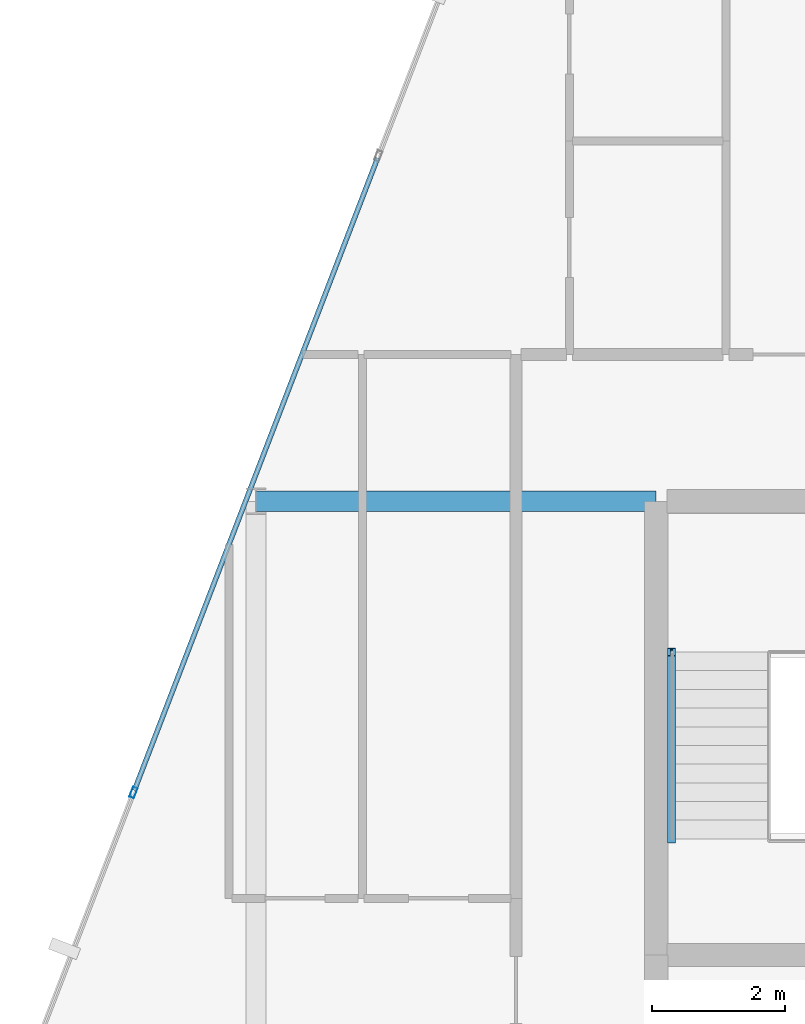
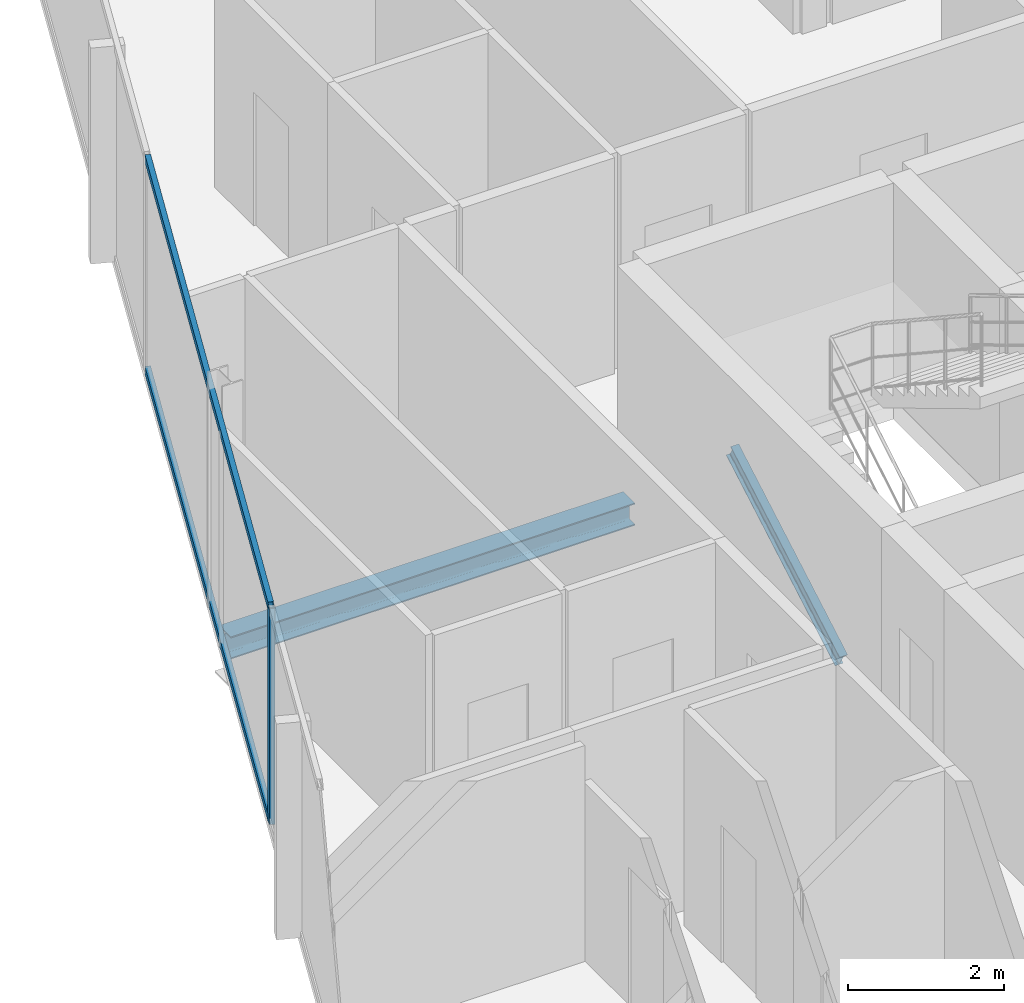
# One storey, part 10 of 28: 4 members, 1 beam, 1 element without a shape of its own.
"""IFC4 building model written with IfcOpenShell, lengths in metres."""

from ifc_helpers import new_model, si_unit, direction, frame, origin, origin_2d, place, context, subcontext, project, spatial, hollow_rectangle, i_section, extrude, material, layer, layer_set, material_profile, profile_set, type_object, element, aggregate, save


model = new_model("IFC4")

# Units and contexts
model_context = context("Model", 3, precision=1e-05, world=origin(), true_north=direction((0.0, 1.0)))
body_context = subcontext(model_context, "Body", "Model", "MODEL_VIEW")
ifc_project = project(units=[si_unit("LENGTHUNIT", "METRE"), si_unit("AREAUNIT", "SQUARE_METRE"), si_unit("VOLUMEUNIT", "CUBIC_METRE"), si_unit("PLANEANGLEUNIT", "RADIAN"), si_unit("MASSUNIT", "GRAM", prefix="KILO")], contexts=[model_context])

# Site, building, storey
site_placement = place(None, origin())
site = spatial("IfcSite", under=ifc_project, at=site_placement, CompositionType="ELEMENT")
building_placement = place(site_placement, origin())
building = spatial("IfcBuilding", under=site, at=building_placement, Name="Keshet Zoharim Tower", CompositionType="ELEMENT")
storey_placement = place(building_placement, frame((0.0, 0.0, 303.60009765625)))
storey = spatial("IfcBuildingStorey", under=building, at=storey_placement, Name="L76", CompositionType="ELEMENT", Elevation=303.60009765625)

# Beam
ifc_material_1 = material(Name="Steel S355", Category="steel")
ifc_material_profile_1 = material_profile(ifc_material_1, i_section(OverallWidth=0.300048828125, OverallDepth=0.35009765625, WebThickness=0.010009765625, FlangeThickness=0.017578125, FilletRadius=0.027099609375, at=origin_2d()), Name="HEA360")
ifc_profile_set_1 = profile_set([ifc_material_profile_1], Name="Steel S355")
beam_type = type_object("IfcBeamType", Name="BM-PRI-HA360", PredefinedType="BEAM", material=ifc_profile_set_1)
beam_placement = place(storey_placement, frame((9.0, 37.89990234375, -0.485107421875), z_axis=(1.0, 0.0, 0.0), x_axis=(0.0, 1.0, 0.0)))
element("IfcBeam", 1, at=beam_placement, inside=storey, type_object=beam_type, Name="L76 Primary Girder X-008", PredefinedType="BEAM", context=body_context, shape_type="SweptSolid", body=[
    extrude(i_section(OverallWidth=0.300048828125, OverallDepth=0.35009765625, WebThickness=0.010009765625, FlangeThickness=0.017578125, FilletRadius=0.027099609375, at=origin_2d()), origin(), (0.0, 0.0, 1.0), 6.0),
])

# Curtain wall, members
ifc_material_2 = material(Name="Aluminium 6063-T6", Category="aluminium")
ifc_layer = layer(ifc_material_2, 0.260009765625)
ifc_layer_set = layer_set([ifc_layer], Name="Aluminium 6063-T6")
curtain_wall_type = type_object("IfcCurtainWallType", Name="CW-SYS-06", PredefinedType="NOTDEFINED", material=ifc_layer_set)
curtain_wall_placement = place(storey_placement, origin())
curtain_wall = element("IfcCurtainWall", 2, at=curtain_wall_placement, inside=storey, type_object=curtain_wall_type, Name="L76 Unitised Curtain Wall 03", PredefinedType="NOTDEFINED")
ifc_material_profile_2 = material_profile(ifc_material_2, hollow_rectangle(XDim=0.074951171875, YDim=0.159912109375, WallThickness=0.00390625, at=origin_2d()), Name="MUL-75x160")
ifc_profile_set_2 = profile_set([ifc_material_profile_2], Name="Aluminium 6063-T6")
member_type_1 = type_object("IfcMemberType", Name="CWM-M15", PredefinedType="MULLION", material=ifc_profile_set_2)
member_1_placement = place(storey_placement, frame((7.1669921875, 33.53466796875, 0.0), z_axis=(0.0, 0.0, 1.0), x_axis=(-0.933341404361, 0.358990003907, 0.0)))
member_1 = element("IfcMember", 3, at=member_1_placement, type_object=member_type_1, Name="CW-06 mullion 2", PredefinedType="MULLION", context=body_context, shape_type="SweptSolid", body=[
    extrude(hollow_rectangle(XDim=0.074951171875, YDim=0.159912109375, WallThickness=0.00390625, at=origin_2d()), origin(), (0.0, 0.0, 1.0), 3.389892578125),
])
ifc_material_profile_3 = material_profile(ifc_material_2, hollow_rectangle(XDim=0.074951171875, YDim=0.1201171875, WallThickness=0.00390625, at=origin_2d()), Name="TRN-75x120")
ifc_profile_set_3 = profile_set([ifc_material_profile_3], Name="Aluminium 6063-T6")
member_type_2 = type_object("IfcMemberType", Name="CWT-T12", PredefinedType="USERDEFINED", material=ifc_profile_set_3)
member_2_placement = place(storey_placement, frame((7.179443359375, 33.5673828125, 0.034912109375), z_axis=(0.359003248899, 0.933336309848, 0.0), x_axis=(-0.933336309848, 0.359003248899, 0.0)))
member_2 = element("IfcMember", 4, at=member_2_placement, type_object=member_type_2, Name="CW-06 transom 2.1", ObjectType="TRANSOM", PredefinedType="USERDEFINED", context=body_context, shape_type="SweptSolid", body=[
    extrude(hollow_rectangle(XDim=0.074951171875, YDim=0.1201171875, WallThickness=0.00390625, at=origin_2d()), origin(), (0.0, 0.0, 1.0), 10.153076171875),
])
member_3_placement = place(storey_placement, frame((7.179443359375, 33.5673828125, 3.35498046875), z_axis=(0.359003248899, 0.933336309848, 0.0), x_axis=(-0.933336309848, 0.359003248899, 0.0)))
member_3 = element("IfcMember", 5, at=member_3_placement, type_object=member_type_2, Name="CW-06 transom 2.2", ObjectType="TRANSOM", PredefinedType="USERDEFINED", context=body_context, shape_type="SweptSolid", body=[
    extrude(hollow_rectangle(XDim=0.074951171875, YDim=0.1201171875, WallThickness=0.00390625, at=origin_2d()), origin(), (0.0, 0.0, 1.0), 10.153076171875),
])
aggregate(curtain_wall, [member_1, member_2, member_3])

# Member
ifc_material_profile_4 = material_profile(ifc_material_1, i_section(OverallWidth=0.1201171875, OverallDepth=0.239990234375, WebThickness=0.006103515625, FlangeThickness=0.009765625, FilletRadius=0.014892578125, at=origin_2d()), Name="IPE240")
ifc_profile_set_4 = profile_set([ifc_material_profile_4], Name="Steel S355")
member_type_3 = type_object("IfcMemberType", Name="MB-STRG-IP240", PredefinedType="STRINGER", material=ifc_profile_set_4)
member_4_placement = place(storey_placement, frame((15.22998046875, 32.840087890625, 0.119873046875), z_axis=(0.0, 0.866876903101, 0.498522251129), x_axis=(-1.0, 0.0, 0.0)))
element("IfcMember", 6, at=member_4_placement, inside=storey, type_object=member_type_3, Name="L76 ST-02 Flight Steel Stringer", PredefinedType="STRINGER", context=body_context, shape_type="SweptSolid", body=[
    extrude(i_section(OverallWidth=0.1201171875, OverallDepth=0.239990234375, WebThickness=0.006103515625, FlangeThickness=0.009765625, FilletRadius=0.014892578125, at=origin_2d()), origin(), (0.0, 0.0, 1.0), 3.229736328125),
])

save(model, "model.ifc")
